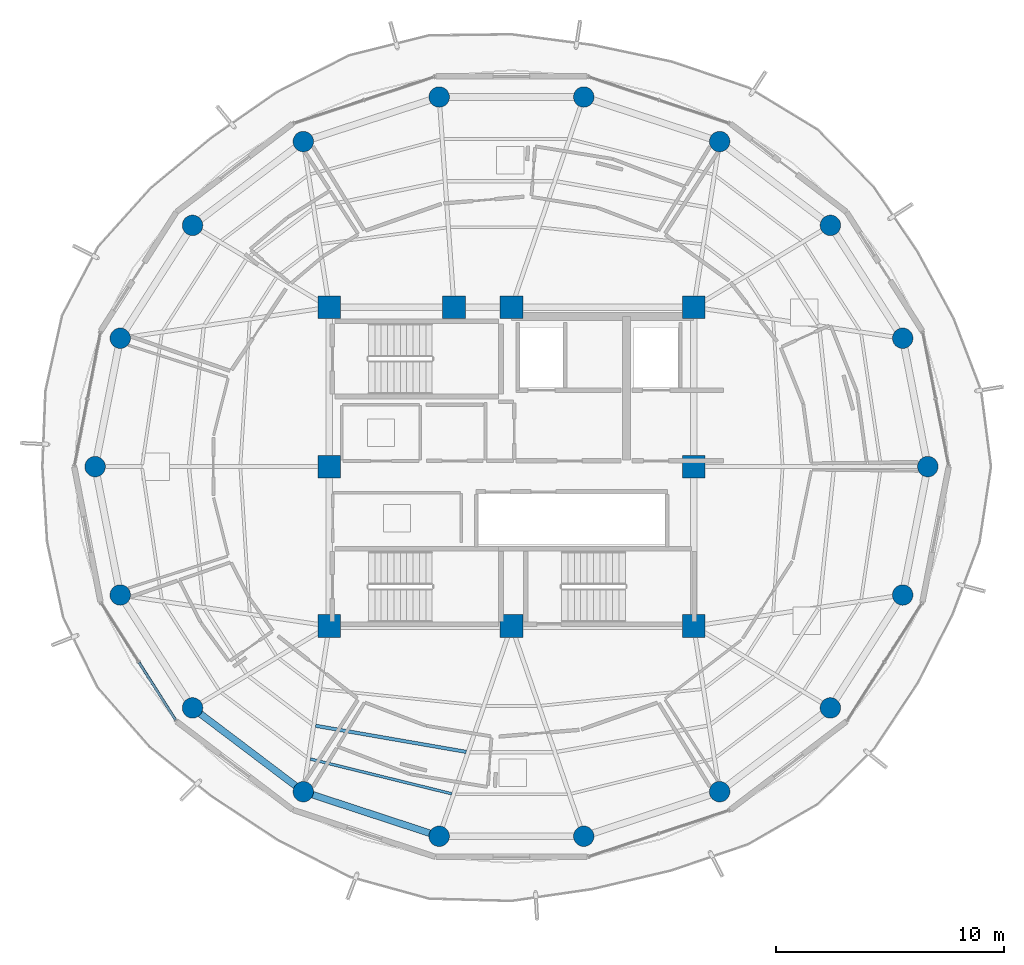
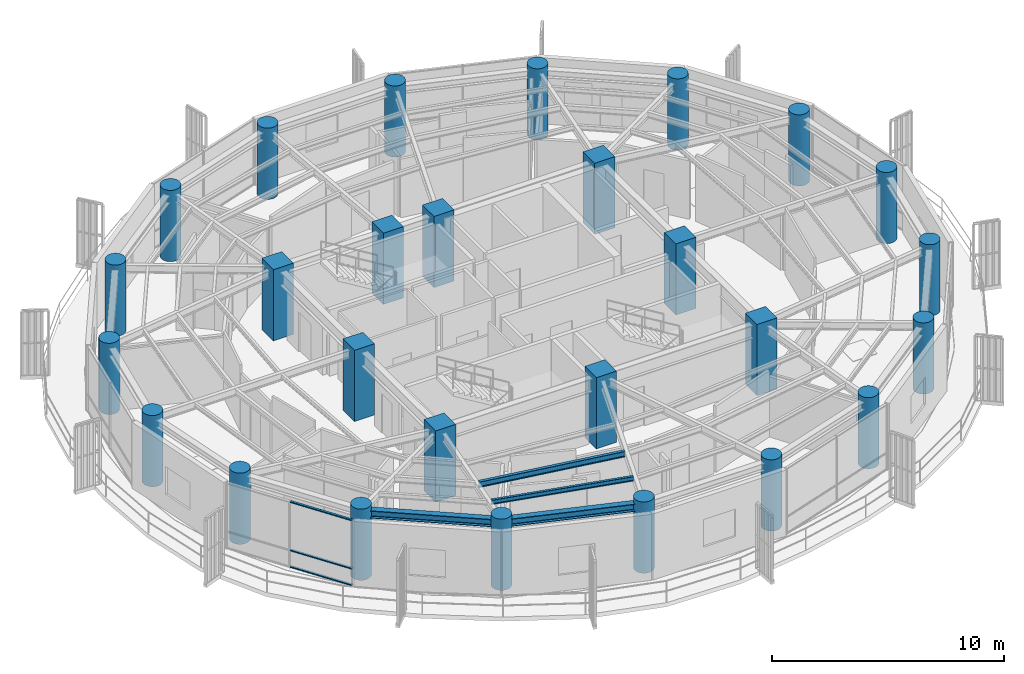
# One storey, part 1 of 23: 27 columns, 4 beams, 3 members, 1 element without a shape of its own.
"""IFC4 building model written with IfcOpenShell, lengths in metres."""

from ifc_helpers import new_model, si_unit, direction, frame, origin, origin_2d, place, context, subcontext, project, spatial, rectangle, hollow_rectangle, circle, i_section, extrude, material, layer, layer_set, material_profile, profile_set, type_object, element, aggregate, save


model = new_model("IFC4")

# Units and contexts
model_context = context("Model", 3, precision=1e-05, world=origin(), true_north=direction((0.0, 1.0)))
body_context = subcontext(model_context, "Body", "Model", "MODEL_VIEW")
ifc_project = project(units=[si_unit("LENGTHUNIT", "METRE"), si_unit("AREAUNIT", "SQUARE_METRE"), si_unit("VOLUMEUNIT", "CUBIC_METRE"), si_unit("PLANEANGLEUNIT", "RADIAN"), si_unit("MASSUNIT", "GRAM", prefix="KILO")], contexts=[model_context])

# Site, building, storey
site_placement = place(None, origin())
site = spatial("IfcSite", under=ifc_project, at=site_placement, CompositionType="ELEMENT")
building_placement = place(site_placement, origin())
building = spatial("IfcBuilding", under=site, at=building_placement, Name="Kelanora Arch Commons", CompositionType="ELEMENT")
storey_placement = place(building_placement, frame((0.0, 0.0, 278.699951171875)))
storey = spatial("IfcBuildingStorey", under=building, at=storey_placement, Name="L71", CompositionType="ELEMENT", Elevation=278.699951171875)

# Columns
ifc_material_1 = material(Name="Concrete C50/60", Category="concrete")
ifc_material_profile_1 = material_profile(ifc_material_1, circle(Radius=0.449951171875, at=origin_2d()), Name="RCC900")
ifc_profile_set_1 = profile_set([ifc_material_profile_1], Name="Concrete C50/60")
column_type_1 = type_object("IfcColumnType", Name="COL-PERIM-Z5", PredefinedType="COLUMN", material=ifc_profile_set_1)
for number, where, z_axis, x_axis, name in (
    (1, (92.280029296875, 58.0, 0.0), (0.0, 0.0, 1.0), (1.0, 0.0, 0.0), "Perimeter Ring Column CP-00 L71"),
    (2, (91.177490234375, 63.636474609375, 0.0), (0.0, 0.0, 1.0), (1.0, 0.0, 0.0), "Perimeter Ring Column CP-02 L71"),
    (3, (88.00341796875, 68.593017578125, 0.0), (0.0, 0.0, 1.0), (1.0, 0.0, 0.0), "Perimeter Ring Column CP-04 L71"),
    (4, (83.139892578125, 72.272216796875, 0.0), (0.0, 0.0, 1.0), (1.0, 0.0, 0.0), "Perimeter Ring Column CP-06 L71"),
    (5, (77.17431640625, 74.2294921875, 0.0), (0.0, 0.0, 1.0), (1.0, 0.0, 0.0), "Perimeter Ring Column CP-08 L71"),
    (6, (70.82568359375, 74.2294921875, 0.0), (0.0, 0.0, 1.0), (1.0, 0.0, 0.0), "Perimeter Ring Column CP-10 L71"),
    (7, (64.860107421875, 72.272216796875, 0.0), (0.0, 0.0, 1.0), (1.0, 0.0, 0.0), "Perimeter Ring Column CP-12 L71"),
    (8, (59.99658203125, 68.593017578125, 0.0), (0.0, 0.0, 1.0), (1.0, 0.0, 0.0), "Perimeter Ring Column CP-14 L71"),
    (9, (56.822509765625, 63.636474609375, 0.0), (0.0, 0.0, 1.0), (1.0, 0.0, 0.0), "Perimeter Ring Column CP-16 L71"),
    (10, (55.719970703125, 58.0, 0.0), (0.0, 0.0, 1.0), (1.0, 0.0, 0.0), "Perimeter Ring Column CP-18 L71"),
    (11, (56.822509765625, 52.363525390625, 0.0), (0.0, 0.0, 1.0), (1.0, 0.0, 0.0), "Perimeter Ring Column CP-20 L71"),
    (12, (59.99658203125, 47.406982421875, 0.0), (0.0, 0.0, 1.0), (1.0, 0.0, 0.0), "Perimeter Ring Column CP-22 L71"),
    (13, (64.860107421875, 43.727783203125, 0.0), (0.0, 0.0, 1.0), (1.0, 0.0, 0.0), "Perimeter Ring Column CP-24 L71"),
    (14, (70.82568359375, 41.7705078125, 0.0), (0.0, 0.0, 1.0), (1.0, 0.0, 0.0), "Perimeter Ring Column CP-26 L71"),
    (15, (77.17431640625, 41.7705078125, 0.0), (0.0, 0.0, 1.0), (1.0, 0.0, 0.0), "Perimeter Ring Column CP-28 L71"),
    (16, (83.139892578125, 43.727783203125, 0.0), (0.0, 0.0, 1.0), (1.0, 0.0, 0.0), "Perimeter Ring Column CP-30 L71"),
    (17, (88.00341796875, 47.406982421875, 0.0), (0.0, 0.0, 1.0), (1.0, 0.0, 0.0), "Perimeter Ring Column CP-32 L71"),
    (18, (91.177490234375, 52.363525390625, 0.0), (0.0, 0.0, 1.0), (1.0, 0.0, 0.0), "Perimeter Ring Column CP-34 L71"),
):
    element("IfcColumn", number, at=place(storey_placement, frame(where, z_axis=z_axis, x_axis=x_axis)), inside=storey, type_object=column_type_1, Name=name, PredefinedType="COLUMN", context=body_context, shape_type="SweptSolid", body=[
        extrude(circle(Radius=0.449951171875, at=origin_2d()), origin(), (0.0, 0.0, 1.0), 3.75),
    ])
ifc_material_profile_2 = material_profile(ifc_material_1, rectangle(XDim=1.0, YDim=1.0, at=origin_2d()), Name="RC1000x1000")
ifc_profile_set_2 = profile_set([ifc_material_profile_2], Name="Concrete C50/60")
column_type_2 = type_object("IfcColumnType", Name="COL-PIL-HIGH", PredefinedType="PILASTER", material=ifc_profile_set_2)
for number, where, z_axis, x_axis, name in (
    (19, (66.0, 51.0, 0.0), (0.0, 0.0, 1.0), (1.0, 0.0, 0.0), "Core Pilaster Column CP1 L71"),
    (20, (74.0, 51.0, 0.0), (0.0, 0.0, 1.0), (1.0, 0.0, 0.0), "Core Pilaster Column CP2 L71"),
    (21, (82.0, 51.0, 0.0), (0.0, 0.0, 1.0), (1.0, 0.0, 0.0), "Core Pilaster Column CP3 L71"),
    (22, (82.0, 58.0, 0.0), (0.0, 0.0, 1.0), (1.0, 0.0, 0.0), "Core Pilaster Column CP4 L71"),
    (23, (82.0, 65.0, 0.0), (0.0, 0.0, 1.0), (1.0, 0.0, 0.0), "Core Pilaster Column CP5 L71"),
    (24, (74.0, 65.0, 0.0), (0.0, 0.0, 1.0), (1.0, 0.0, 0.0), "Core Pilaster Column CP6 L71"),
    (25, (71.47998046875, 65.0, 0.0), (0.0, 0.0, 1.0), (1.0, 0.0, 0.0), "Core Pilaster Column CP9 L71"),
    (26, (66.0, 65.0, 0.0), (0.0, 0.0, 1.0), (1.0, 0.0, 0.0), "Core Pilaster Column CP7 L71"),
    (27, (66.0, 58.0, 0.0), (0.0, 0.0, 1.0), (1.0, 0.0, 0.0), "Core Pilaster Column CP8 L71"),
):
    element("IfcColumn", number, at=place(storey_placement, frame(where, z_axis=z_axis, x_axis=x_axis)), inside=storey, type_object=column_type_2, Name=name, PredefinedType="PILASTER", context=body_context, shape_type="SweptSolid", body=[
        extrude(rectangle(XDim=1.0, YDim=1.0, at=origin_2d()), origin(), (0.0, 0.0, 1.0), 3.75),
    ])

# Beams
ifc_material_2 = material(Name="Steel S355", Category="steel")
ifc_material_profile_3 = material_profile(ifc_material_2, i_section(OverallWidth=0.14990234375, OverallDepth=0.300048828125, WebThickness=0.007080078125, FlangeThickness=0.0107421875, FilletRadius=0.014892578125, at=origin_2d()), Name="IPE300")
ifc_profile_set_3 = profile_set([ifc_material_profile_3], Name="Steel S355")
beam_type_1 = type_object("IfcBeamType", Name="BM-JST-01", PredefinedType="JOIST", material=ifc_profile_set_3)
beam_1_placement = place(storey_placement, frame((65.39990234375, 46.622314453125, 3.340087890625), z_axis=(0.985321568263, -0.170708544357, 0.0), x_axis=(0.170708544357, 0.985321568263, 0.0)))
element("IfcBeam", 28, at=beam_1_placement, inside=storey, type_object=beam_type_1, Name="Secondary Chord Joist BJB-24 L71", PredefinedType="JOIST", context=body_context, shape_type="SweptSolid", body=[
    extrude(i_section(OverallWidth=0.14990234375, OverallDepth=0.300048828125, WebThickness=0.007080078125, FlangeThickness=0.0107421875, FilletRadius=0.014892578125, at=origin_2d()), origin(), (0.0, 0.0, 1.0), 6.710205078125),
])
ifc_material_profile_4 = material_profile(ifc_material_2, i_section(OverallWidth=0.1201171875, OverallDepth=0.239990234375, WebThickness=0.006103515625, FlangeThickness=0.009765625, FilletRadius=0.014892578125, at=origin_2d()), Name="IPE240")
ifc_profile_set_4 = profile_set([ifc_material_profile_4], Name="Steel S355")
beam_type_2 = type_object("IfcBeamType", Name="BM-JST-02", PredefinedType="JOIST", material=ifc_profile_set_4)
beam_2_placement = place(storey_placement, frame((65.17041015625, 45.162109375, 3.3701171875), z_axis=(0.971109719488, -0.23863342749, 0.0), x_axis=(0.23863342749, 0.971109719488, 0.0)))
element("IfcBeam", 29, at=beam_2_placement, inside=storey, type_object=beam_type_2, Name="Secondary Chord Joist BJC-24 L71", PredefinedType="JOIST", context=body_context, shape_type="SweptSolid", body=[
    extrude(i_section(OverallWidth=0.1201171875, OverallDepth=0.239990234375, WebThickness=0.006103515625, FlangeThickness=0.009765625, FilletRadius=0.014892578125, at=origin_2d()), origin(), (0.0, 0.0, 1.0), 6.39208984375),
])
ifc_material_profile_5 = material_profile(ifc_material_2, i_section(OverallWidth=0.300048828125, OverallDepth=0.39990234375, WebThickness=0.013427734375, FlangeThickness=0.02392578125, FilletRadius=0.027099609375, at=origin_2d()), Name="HEB400")
ifc_profile_set_5 = profile_set([ifc_material_profile_5], Name="Steel S355")
beam_type_3 = type_object("IfcBeamType", Name="BM-SPN-Z4", PredefinedType="SPANDREL", material=ifc_profile_set_5)
beam_3_placement = place(storey_placement, frame((59.99658203125, 47.406982421875, 3.2900390625), z_axis=(0.797509460967, -0.603306439273, 0.0), x_axis=(0.603306439273, 0.797509460967, 0.0)))
element("IfcBeam", 30, at=beam_3_placement, inside=storey, type_object=beam_type_3, Name="Perimeter Spandrel Beam BS-22 L71", PredefinedType="SPANDREL", context=body_context, shape_type="SweptSolid", body=[
    extrude(i_section(OverallWidth=0.300048828125, OverallDepth=0.39990234375, WebThickness=0.013427734375, FlangeThickness=0.02392578125, FilletRadius=0.027099609375, at=origin_2d()), origin(), (0.0, 0.0, 1.0), 6.098388671875),
])
beam_4_placement = place(storey_placement, frame((64.860107421875, 43.727783203125, 3.2900390625), z_axis=(0.950165923039, -0.311744636996, 0.0), x_axis=(0.311744636996, 0.950165923039, 0.0)))
element("IfcBeam", 31, at=beam_4_placement, inside=storey, type_object=beam_type_3, Name="Perimeter Spandrel Beam BS-24 L71", PredefinedType="SPANDREL", context=body_context, shape_type="SweptSolid", body=[
    extrude(i_section(OverallWidth=0.300048828125, OverallDepth=0.39990234375, WebThickness=0.013427734375, FlangeThickness=0.02392578125, FilletRadius=0.027099609375, at=origin_2d()), origin(), (0.0, 0.0, 1.0), 6.278564453125),
])

# Curtain wall, members
ifc_material_3 = material(Name="Terracotta ceramic-fritted low-E glass and aluminium", Category="masonry")
ifc_layer = layer(ifc_material_3, 0.18994140625)
ifc_layer_set = layer_set([ifc_layer], Name="Terracotta ceramic-fritted low-E glass and aluminium")
curtain_wall_type = type_object("IfcCurtainWallType", Name="CW-SYS-03", PredefinedType="NOTDEFINED", material=ifc_layer_set)
curtain_wall_placement = place(storey_placement, origin())
curtain_wall = element("IfcCurtainWall", 32, at=curtain_wall_placement, inside=storey, type_object=curtain_wall_type, Name="Unitised Curtain Wall L71-B10", PredefinedType="NOTDEFINED")
ifc_material_4 = material(Name="Powder-coated aluminium terracotta", Category="masonry")
ifc_material_profile_6 = material_profile(ifc_material_4, hollow_rectangle(XDim=0.1201171875, YDim=0.06005859375, WallThickness=0.0048828125, InnerFilletRadius=0.0048828125, OuterFilletRadius=0.010009765625, at=origin_2d()), Name="CWT120x60")
ifc_profile_set_6 = profile_set([ifc_material_profile_6], Name="Powder-coated aluminium terracotta")
member_type = type_object("IfcMemberType", Name="CWT-STD", PredefinedType="USERDEFINED", material=ifc_profile_set_6)
member_1_placement = place(storey_placement, frame((57.64111328125, 49.40673828125, 0.030029296875), z_axis=(0.537286543791, -0.84339976871, 0.0), x_axis=(0.84339976871, 0.537286543791, 0.0)))
member_1 = element("IfcMember", 33, at=member_1_placement, type_object=member_type, Name="CW-03 transom 2.1", ObjectType="TRANSOM", PredefinedType="USERDEFINED", context=body_context, shape_type="SweptSolid", body=[
    extrude(hollow_rectangle(XDim=0.1201171875, YDim=0.06005859375, WallThickness=0.0048828125, InnerFilletRadius=0.0048828125, OuterFilletRadius=0.010009765625, at=origin_2d()), origin(), (0.0, 0.0, 1.0), 2.997314453125),
])
member_2_placement = place(storey_placement, frame((57.64111328125, 49.40673828125, 0.900146484375), z_axis=(0.537286543791, -0.84339976871, 0.0), x_axis=(0.84339976871, 0.537286543791, 0.0)))
member_2 = element("IfcMember", 34, at=member_2_placement, type_object=member_type, Name="CW-03 transom 2.2", ObjectType="TRANSOM", PredefinedType="USERDEFINED", context=body_context, shape_type="SweptSolid", body=[
    extrude(hollow_rectangle(XDim=0.1201171875, YDim=0.06005859375, WallThickness=0.0048828125, InnerFilletRadius=0.0048828125, OuterFilletRadius=0.010009765625, at=origin_2d()), origin(), (0.0, 0.0, 1.0), 2.997314453125),
])
member_3_placement = place(storey_placement, frame((57.64111328125, 49.40673828125, 3.445068359375), z_axis=(0.537286543791, -0.84339976871, 0.0), x_axis=(0.84339976871, 0.537286543791, 0.0)))
member_3 = element("IfcMember", 35, at=member_3_placement, type_object=member_type, Name="CW-03 transom 2.3", ObjectType="TRANSOM", PredefinedType="USERDEFINED", context=body_context, shape_type="SweptSolid", body=[
    extrude(hollow_rectangle(XDim=0.1201171875, YDim=0.06005859375, WallThickness=0.0048828125, InnerFilletRadius=0.0048828125, OuterFilletRadius=0.010009765625, at=origin_2d()), origin(), (0.0, 0.0, 1.0), 2.997314453125),
])
aggregate(curtain_wall, [member_1, member_2, member_3])

save(model, "model.ifc")
